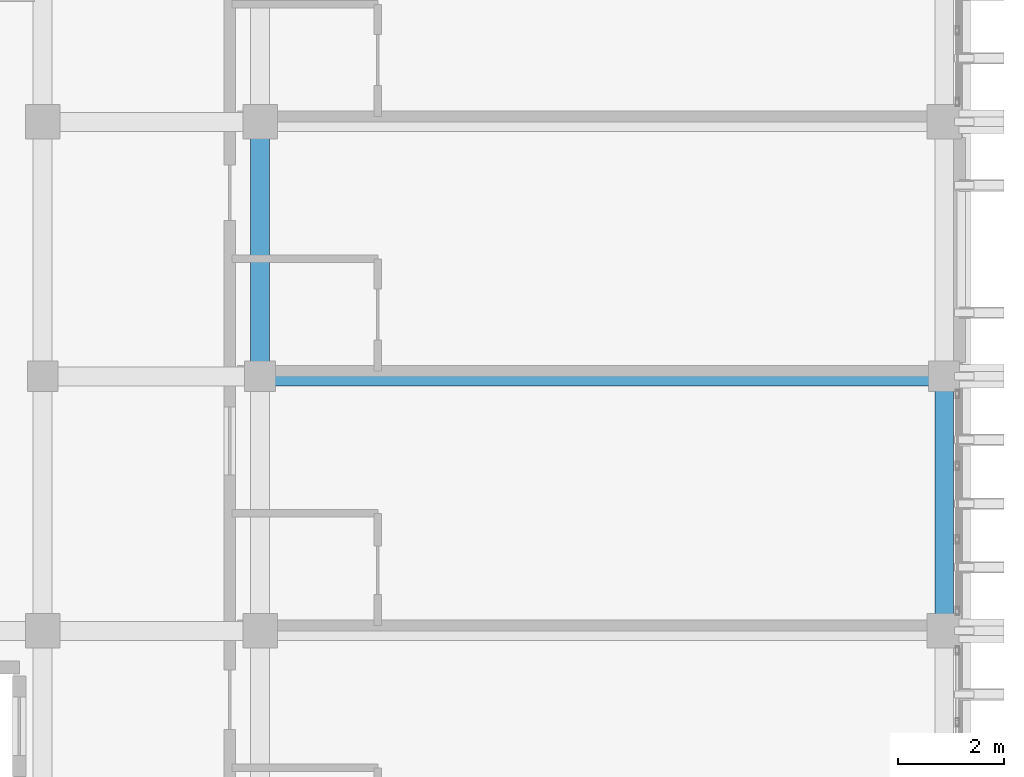
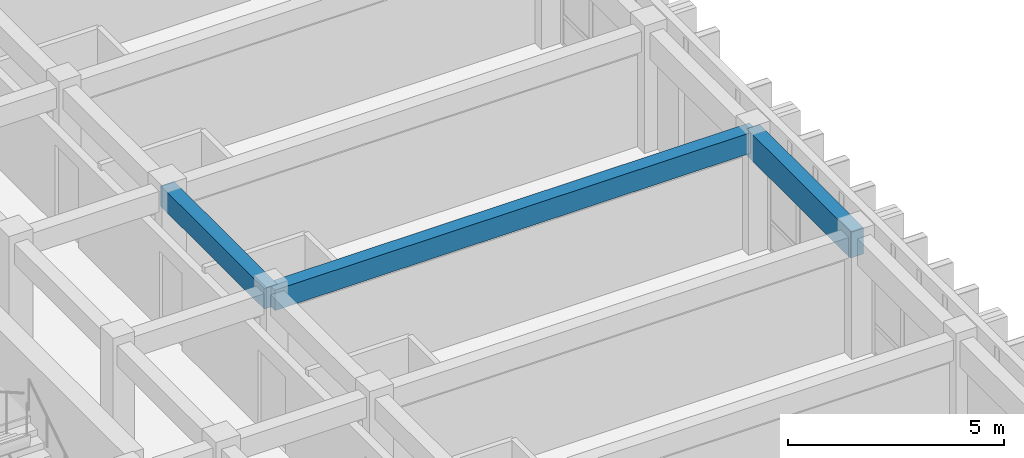
# One storey, part 15 of 49: 3 beams.
"""IFC4 building model written with IfcOpenShell, lengths in metres."""

from ifc_helpers import new_model, si_unit, direction, frame, origin, origin_2d, place, context, subcontext, project, spatial, rectangle, extrude, material, material_profile, profile_set, type_object, element, save


model = new_model("IFC4")

# Units and contexts
model_context = context("Model", 3, precision=1e-05, world=origin(), true_north=direction((0.0, 1.0)))
body_context = subcontext(model_context, "Body", "Model", "MODEL_VIEW")
ifc_project = project(units=[si_unit("LENGTHUNIT", "METRE"), si_unit("AREAUNIT", "SQUARE_METRE"), si_unit("VOLUMEUNIT", "CUBIC_METRE"), si_unit("PLANEANGLEUNIT", "RADIAN"), si_unit("MASSUNIT", "GRAM", prefix="KILO")], contexts=[model_context])

# Site, building, storey
site_placement = place(None, origin())
site = spatial("IfcSite", under=ifc_project, at=site_placement, CompositionType="ELEMENT")
building_placement = place(site_placement, origin())
building = spatial("IfcBuilding", under=site, at=building_placement, Name="Nakhvara Creek Congress Hotel", CompositionType="ELEMENT")
storey_placement = place(building_placement, frame((0.0, 0.0, 39.0)))
storey = spatial("IfcBuildingStorey", under=building, at=storey_placement, Name="L09", CompositionType="ELEMENT", Elevation=39.0)

# Beams
ifc_material = material(Name="Concrete C40/50", Category="concrete")
ifc_material_profile_1 = material_profile(ifc_material, rectangle(XDim=0.360107421875, YDim=0.580078125, at=origin_2d()), Name="RC-BM 360x580", Category="LoadBearing")
ifc_profile_set_1 = profile_set([ifc_material_profile_1], Name="Concrete C40/50")
beam_type_1 = type_object("IfcBeamType", Name="BM-RC-360X580", PredefinedType="BEAM", material=ifc_profile_set_1)
beam_1_placement = place(storey_placement, frame((166.449951171875, 81.60009765625, 3.070068359375), z_axis=(0.0, 1.0, 0.0), x_axis=(-1.0, 0.0, 0.0)))
element("IfcBeam", 1, at=beam_1_placement, inside=storey, type_object=beam_type_1, Name="Beam B09-L09-2584", PredefinedType="BEAM", context=body_context, shape_type="SweptSolid", body=[
    extrude(rectangle(XDim=0.360107421875, YDim=0.580078125, at=origin_2d()), origin(), (0.0, 0.0, 1.0), 4.7998046875),
])
beam_2_placement = place(storey_placement, frame((166.449951171875, 81.60009765625, 3.070068359375), z_axis=(1.0, 0.0, 0.0), x_axis=(0.0, 1.0, 0.0)))
element("IfcBeam", 2, at=beam_2_placement, inside=storey, type_object=beam_type_1, Name="Beam B09-L09-2625", PredefinedType="BEAM", context=body_context, shape_type="SweptSolid", body=[
    extrude(rectangle(XDim=0.360107421875, YDim=0.580078125, at=origin_2d()), origin(), (0.0, 0.0, 1.0), 12.900146484375),
])
ifc_material_profile_2 = material_profile(ifc_material, rectangle(XDim=0.35009765625, YDim=0.75, at=origin_2d()), Name="RC-SPANDREL 350x750", Category="LoadBearing")
ifc_profile_set_2 = profile_set([ifc_material_profile_2], Name="Concrete C40/50")
beam_type_2 = type_object("IfcBeamType", Name="BM-SPN-350X750", PredefinedType="SPANDREL", material=ifc_profile_set_2)
beam_3_placement = place(storey_placement, frame((179.35009765625, 76.800048828125, 2.985107421875), z_axis=(0.0, 1.0, 0.0), x_axis=(-1.0, 0.0, 0.0)))
element("IfcBeam", 3, at=beam_3_placement, inside=storey, type_object=beam_type_2, Name="Beam SP1-L09-2601", PredefinedType="SPANDREL", context=body_context, shape_type="SweptSolid", body=[
    extrude(rectangle(XDim=0.35009765625, YDim=0.75, at=origin_2d()), origin(), (0.0, 0.0, 1.0), 4.800048828125),
])

save(model, "model.ifc")
